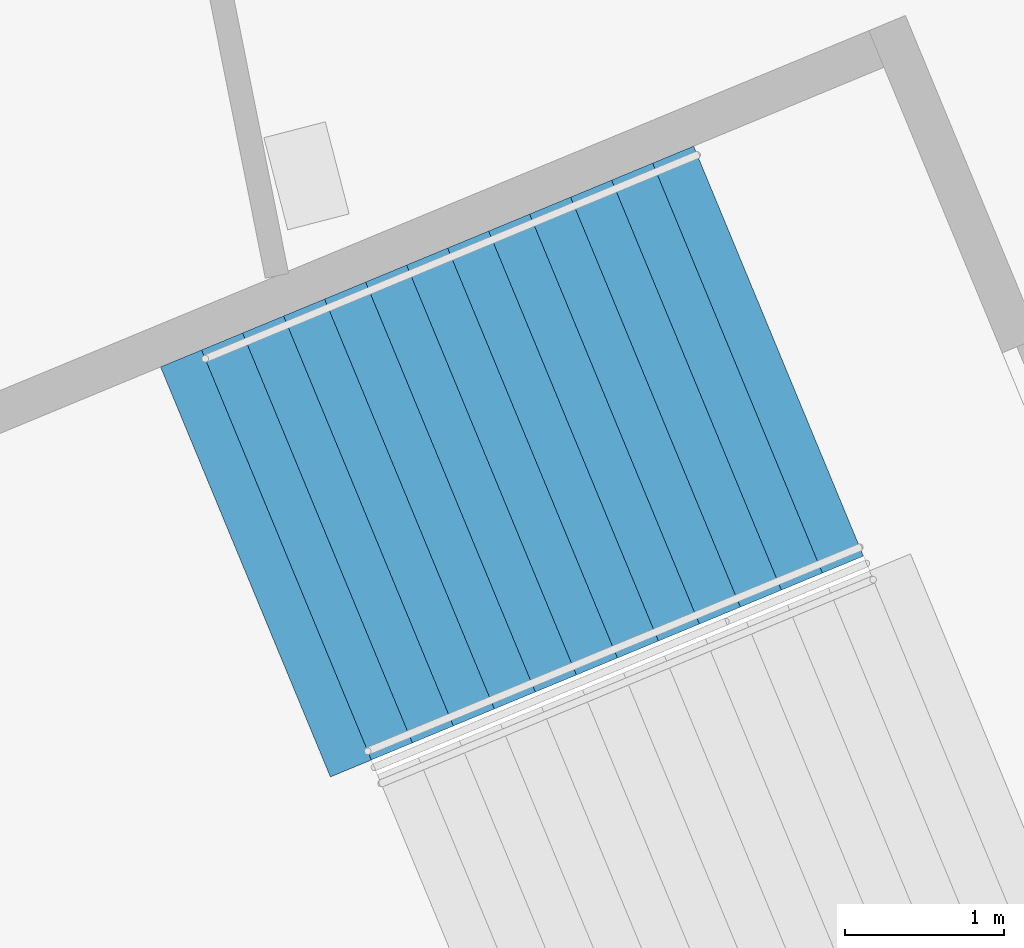
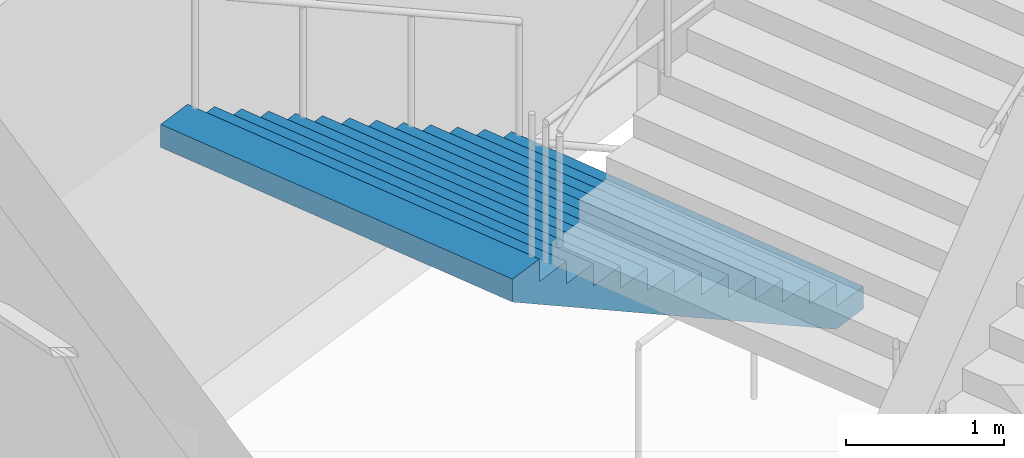
# One storey, part 91 of 177: 1 stair flight, 1 element without a shape of its own.
"""IFC4 building model written with IfcOpenShell, lengths in metres."""

from ifc_helpers import new_model, si_unit, direction, frame, origin, place, context, subcontext, project, spatial, faceted_brep, material, type_object, element, aggregate, save


model = new_model("IFC4")

# Units and contexts
model_context = context("Model", 3, precision=1e-05, world=origin(), true_north=direction((0.0, 1.0)))
body_context = subcontext(model_context, "Body", "Model", "MODEL_VIEW")
ifc_project = project(units=[si_unit("LENGTHUNIT", "METRE"), si_unit("AREAUNIT", "SQUARE_METRE"), si_unit("VOLUMEUNIT", "CUBIC_METRE"), si_unit("PLANEANGLEUNIT", "RADIAN"), si_unit("MASSUNIT", "GRAM", prefix="KILO")], contexts=[model_context])

# Site, building, storey
site_placement = place(None, origin())
site = spatial("IfcSite", under=ifc_project, at=site_placement, CompositionType="ELEMENT")
building_placement = place(site_placement, origin())
building = spatial("IfcBuilding", under=site, at=building_placement, Name="Ogive Plaza Stadium", CompositionType="ELEMENT")
storey_placement = place(building_placement, frame((0.0, 0.0, 18.0)))
storey = spatial("IfcBuildingStorey", under=building, at=storey_placement, Name="L04", CompositionType="ELEMENT", Elevation=18.0)

# Stair, stair flight
ifc_material_1 = material(Name="Concrete C40/50", Category="concrete")
stair_type = type_object("IfcStairType", Name="Exit stair", PredefinedType="STRAIGHT_RUN_STAIR", material=ifc_material_1)
stair_placement = place(storey_placement, origin())
stair = element("IfcStair", 1, at=stair_placement, inside=storey, type_object=stair_type, Name="Exit stair ST20A L04 to L05", PredefinedType="STRAIGHT_RUN_STAIR")
ifc_material_2 = material(Name="Concrete C40/50", Category="concrete")
stair_flight_type = type_object("IfcStairFlightType", Name="Exit stair flight", PredefinedType="STRAIGHT", material=ifc_material_2)
stair_flight_placement = place(storey_placement, frame((-74.819580078125, -64.618408203125, 0.0), z_axis=(0.0, 0.0, 1.0), x_axis=(-0.923879532511, -0.382683432365, 0.0)))
stair_flight = element("IfcStairFlight", 2, at=stair_flight_placement, type_object=stair_flight_type, Name="ST20A flight 1", NumberOfRisers=13, NumberOfTreads=12, PredefinedType="STRAIGHT", RiserHeight=0.173076923, TreadLength=0.28, context=body_context, shape_type="Brep", body=[
    faceted_brep([(0.28515625, -1.39990234375, 0.0), (3.639892578125, -1.39990234375, 2.07373046875), (3.639892578125, -1.39990234375, 2.25), (3.360107421875, -1.39990234375, 2.25), (3.360107421875, -1.39990234375, 2.076904296875), (3.080078125, -1.39990234375, 2.076904296875), (3.080078125, -1.39990234375, 1.90380859375), (2.800048828125, -1.39990234375, 1.90380859375), (2.800048828125, -1.39990234375, 1.730712890625), (2.52001953125, -1.39990234375, 1.730712890625), (2.52001953125, -1.39990234375, 1.5576171875), (2.239990234375, -1.39990234375, 1.5576171875), (2.239990234375, -1.39990234375, 1.384521484375), (1.9599609375, -1.39990234375, 1.384521484375), (1.9599609375, -1.39990234375, 1.21142578125), (1.679931640625, -1.39990234375, 1.21142578125), (1.679931640625, -1.39990234375, 1.03857421875), (1.39990234375, -1.39990234375, 1.03857421875), (1.39990234375, -1.39990234375, 0.865478515625), (1.1201171875, -1.39990234375, 0.865478515625), (1.1201171875, -1.39990234375, 0.6923828125), (0.840087890625, -1.39990234375, 0.6923828125), (0.840087890625, -1.39990234375, 0.519287109375), (0.56005859375, -1.39990234375, 0.519287109375), (0.56005859375, -1.39990234375, 0.34619140625), (0.280029296875, -1.39990234375, 0.34619140625), (0.280029296875, -1.39990234375, 0.173095703125), (0.0, -1.39990234375, 0.173095703125), (0.0, -1.39990234375, 0.0), (0.0, 1.39990234375, 0.0), (0.0, 1.39990234375, 0.173095703125), (0.280029296875, 1.39990234375, 0.173095703125), (0.280029296875, 1.39990234375, 0.34619140625), (0.56005859375, 1.39990234375, 0.34619140625), (0.56005859375, 1.39990234375, 0.519287109375), (0.840087890625, 1.39990234375, 0.519287109375), (0.840087890625, 1.39990234375, 0.6923828125), (1.1201171875, 1.39990234375, 0.6923828125), (1.1201171875, 1.39990234375, 0.865478515625), (1.39990234375, 1.39990234375, 0.865478515625), (1.39990234375, 1.39990234375, 1.03857421875), (1.679931640625, 1.39990234375, 1.03857421875), (1.679931640625, 1.39990234375, 1.21142578125), (1.9599609375, 1.39990234375, 1.21142578125), (1.9599609375, 1.39990234375, 1.384521484375), (2.239990234375, 1.39990234375, 1.384521484375), (2.239990234375, 1.39990234375, 1.5576171875), (2.52001953125, 1.39990234375, 1.5576171875), (2.52001953125, 1.39990234375, 1.730712890625), (2.800048828125, 1.39990234375, 1.730712890625), (2.800048828125, 1.39990234375, 1.90380859375), (3.080078125, 1.39990234375, 1.90380859375), (3.080078125, 1.39990234375, 2.076904296875), (3.360107421875, 1.39990234375, 2.076904296875), (3.360107421875, 1.39990234375, 2.25), (3.639892578125, 1.39990234375, 2.25), (3.639892578125, 1.39990234375, 2.07373046875), (0.28515625, 1.39990234375, 0.0), (0.28515625, -1.0888671875, 0.0), (3.639892578125, -1.0888671875, 2.07373046875), (0.28515625, -0.77783203125, 0.0), (3.639892578125, -0.77783203125, 2.07373046875), (0.28515625, -0.466796875, 0.0), (3.639892578125, -0.466796875, 2.07373046875), (0.28515625, -0.155517578125, 0.0), (3.639892578125, -0.155517578125, 2.07373046875), (0.28515625, 0.155517578125, 0.0), (3.639892578125, 0.155517578125, 2.07373046875), (0.28515625, 0.466796875, 0.0), (3.639892578125, 0.466796875, 2.07373046875), (0.28515625, 0.77783203125, 0.0), (3.639892578125, 0.77783203125, 2.07373046875), (0.28515625, 1.0888671875, 0.0), (3.639892578125, 1.0888671875, 2.07373046875), (3.639892578125, -1.0888671875, 2.25), (3.639892578125, -0.77783203125, 2.25), (3.639892578125, -0.466796875, 2.25), (3.639892578125, -0.155517578125, 2.25), (3.639892578125, 0.155517578125, 2.25), (3.639892578125, 0.466796875, 2.25), (3.639892578125, 0.77783203125, 2.25), (3.639892578125, 1.0888671875, 2.25), (3.360107421875, -1.0888671875, 2.25), (3.360107421875, -0.77783203125, 2.25), (3.360107421875, -0.466796875, 2.25), (3.360107421875, -0.155517578125, 2.25), (3.360107421875, 0.155517578125, 2.25), (3.360107421875, 0.466796875, 2.25), (3.360107421875, 0.77783203125, 2.25), (3.360107421875, 1.0888671875, 2.25), (3.360107421875, -1.0888671875, 2.076904296875), (3.360107421875, -0.77783203125, 2.076904296875), (3.360107421875, -0.466796875, 2.076904296875), (3.360107421875, -0.155517578125, 2.076904296875), (3.360107421875, 0.155517578125, 2.076904296875), (3.360107421875, 0.466796875, 2.076904296875), (3.360107421875, 0.77783203125, 2.076904296875), (3.360107421875, 1.0888671875, 2.076904296875), (3.080078125, -1.0888671875, 2.076904296875), (3.080078125, -0.77783203125, 2.076904296875), (3.080078125, -0.466796875, 2.076904296875), (3.080078125, -0.155517578125, 2.076904296875), (3.080078125, 0.155517578125, 2.076904296875), (3.080078125, 0.466796875, 2.076904296875), (3.080078125, 0.77783203125, 2.076904296875), (3.080078125, 1.0888671875, 2.076904296875), (3.080078125, -1.0888671875, 1.90380859375), (3.080078125, -0.77783203125, 1.90380859375), (3.080078125, -0.466796875, 1.90380859375), (3.080078125, -0.155517578125, 1.90380859375), (3.080078125, 0.155517578125, 1.90380859375), (3.080078125, 0.466796875, 1.90380859375), (3.080078125, 0.77783203125, 1.90380859375), (3.080078125, 1.0888671875, 1.90380859375), (2.800048828125, -1.0888671875, 1.90380859375), (2.800048828125, -0.77783203125, 1.90380859375), (2.800048828125, -0.466796875, 1.90380859375), (2.800048828125, -0.155517578125, 1.90380859375), (2.800048828125, 0.155517578125, 1.90380859375), (2.800048828125, 0.466796875, 1.90380859375), (2.800048828125, 0.77783203125, 1.90380859375), (2.800048828125, 1.0888671875, 1.90380859375), (2.800048828125, -1.0888671875, 1.730712890625), (2.800048828125, -0.77783203125, 1.730712890625), (2.800048828125, -0.466796875, 1.730712890625), (2.800048828125, -0.155517578125, 1.730712890625), (2.800048828125, 0.155517578125, 1.730712890625), (2.800048828125, 0.466796875, 1.730712890625), (2.800048828125, 0.77783203125, 1.730712890625), (2.800048828125, 1.0888671875, 1.730712890625), (2.52001953125, -1.0888671875, 1.730712890625), (2.52001953125, -0.77783203125, 1.730712890625), (2.52001953125, -0.466796875, 1.730712890625), (2.52001953125, -0.155517578125, 1.730712890625), (2.52001953125, 0.155517578125, 1.730712890625), (2.52001953125, 0.466796875, 1.730712890625), (2.52001953125, 0.77783203125, 1.730712890625), (2.52001953125, 1.0888671875, 1.730712890625), (2.52001953125, -1.0888671875, 1.5576171875), (2.52001953125, -0.77783203125, 1.5576171875), (2.52001953125, -0.466796875, 1.5576171875), (2.52001953125, -0.155517578125, 1.5576171875), (2.52001953125, 0.155517578125, 1.5576171875), (2.52001953125, 0.466796875, 1.5576171875), (2.52001953125, 0.77783203125, 1.5576171875), (2.52001953125, 1.0888671875, 1.5576171875), (2.239990234375, -1.0888671875, 1.5576171875), (2.239990234375, -0.77783203125, 1.5576171875), (2.239990234375, -0.466796875, 1.5576171875), (2.239990234375, -0.155517578125, 1.5576171875), (2.239990234375, 0.155517578125, 1.5576171875), (2.239990234375, 0.466796875, 1.5576171875), (2.239990234375, 0.77783203125, 1.5576171875), (2.239990234375, 1.0888671875, 1.5576171875), (2.239990234375, -1.0888671875, 1.384521484375), (2.239990234375, -0.77783203125, 1.384521484375), (2.239990234375, -0.466796875, 1.384521484375), (2.239990234375, -0.155517578125, 1.384521484375), (2.239990234375, 0.155517578125, 1.384521484375), (2.239990234375, 0.466796875, 1.384521484375), (2.239990234375, 0.77783203125, 1.384521484375), (2.239990234375, 1.0888671875, 1.384521484375), (1.9599609375, -1.0888671875, 1.384521484375), (1.9599609375, -0.77783203125, 1.384521484375), (1.9599609375, -0.466796875, 1.384521484375), (1.9599609375, -0.155517578125, 1.384521484375), (1.9599609375, 0.155517578125, 1.384521484375), (1.9599609375, 0.466796875, 1.384521484375), (1.9599609375, 0.77783203125, 1.384521484375), (1.9599609375, 1.0888671875, 1.384521484375), (1.9599609375, -1.0888671875, 1.21142578125), (1.9599609375, -0.77783203125, 1.21142578125), (1.9599609375, -0.466796875, 1.21142578125), (1.9599609375, -0.155517578125, 1.21142578125), (1.9599609375, 0.155517578125, 1.21142578125), (1.9599609375, 0.466796875, 1.21142578125), (1.9599609375, 0.77783203125, 1.21142578125), (1.9599609375, 1.0888671875, 1.21142578125), (1.679931640625, -1.0888671875, 1.21142578125), (1.679931640625, -0.77783203125, 1.21142578125), (1.679931640625, -0.466796875, 1.21142578125), (1.679931640625, -0.155517578125, 1.21142578125), (1.679931640625, 0.155517578125, 1.21142578125), (1.679931640625, 0.466796875, 1.21142578125), (1.679931640625, 0.77783203125, 1.21142578125), (1.679931640625, 1.0888671875, 1.21142578125), (1.679931640625, -1.0888671875, 1.03857421875), (1.679931640625, -0.77783203125, 1.03857421875), (1.679931640625, -0.466796875, 1.03857421875), (1.679931640625, -0.155517578125, 1.03857421875), (1.679931640625, 0.155517578125, 1.03857421875), (1.679931640625, 0.466796875, 1.03857421875), (1.679931640625, 0.77783203125, 1.03857421875), (1.679931640625, 1.0888671875, 1.03857421875), (1.39990234375, -1.0888671875, 1.03857421875), (1.39990234375, -0.77783203125, 1.03857421875), (1.39990234375, -0.466796875, 1.03857421875), (1.39990234375, -0.155517578125, 1.03857421875), (1.39990234375, 0.155517578125, 1.03857421875), (1.39990234375, 0.466796875, 1.03857421875), (1.39990234375, 0.77783203125, 1.03857421875), (1.39990234375, 1.0888671875, 1.03857421875), (1.39990234375, -1.0888671875, 0.865478515625), (1.39990234375, -0.77783203125, 0.865478515625), (1.39990234375, -0.466796875, 0.865478515625), (1.39990234375, -0.155517578125, 0.865478515625), (1.39990234375, 0.155517578125, 0.865478515625), (1.39990234375, 0.466796875, 0.865478515625), (1.39990234375, 0.77783203125, 0.865478515625), (1.39990234375, 1.0888671875, 0.865478515625), (1.1201171875, -1.0888671875, 0.865478515625), (1.1201171875, -0.77783203125, 0.865478515625), (1.1201171875, -0.466796875, 0.865478515625), (1.1201171875, -0.155517578125, 0.865478515625), (1.1201171875, 0.155517578125, 0.865478515625), (1.1201171875, 0.466796875, 0.865478515625), (1.1201171875, 0.77783203125, 0.865478515625), (1.1201171875, 1.0888671875, 0.865478515625), (1.1201171875, -1.0888671875, 0.6923828125), (1.1201171875, -0.77783203125, 0.6923828125), (1.1201171875, -0.466796875, 0.6923828125), (1.1201171875, -0.155517578125, 0.6923828125), (1.1201171875, 0.155517578125, 0.6923828125), (1.1201171875, 0.466796875, 0.6923828125), (1.1201171875, 0.77783203125, 0.6923828125), (1.1201171875, 1.0888671875, 0.6923828125), (0.840087890625, -1.0888671875, 0.6923828125), (0.840087890625, -0.77783203125, 0.6923828125), (0.840087890625, -0.466796875, 0.6923828125), (0.840087890625, -0.155517578125, 0.6923828125), (0.840087890625, 0.155517578125, 0.6923828125), (0.840087890625, 0.466796875, 0.6923828125), (0.840087890625, 0.77783203125, 0.6923828125), (0.840087890625, 1.0888671875, 0.6923828125), (0.840087890625, -1.0888671875, 0.519287109375), (0.840087890625, -0.77783203125, 0.519287109375), (0.840087890625, -0.466796875, 0.519287109375), (0.840087890625, -0.155517578125, 0.519287109375), (0.840087890625, 0.155517578125, 0.519287109375), (0.840087890625, 0.466796875, 0.519287109375), (0.840087890625, 0.77783203125, 0.519287109375), (0.840087890625, 1.0888671875, 0.519287109375), (0.56005859375, -1.0888671875, 0.519287109375), (0.56005859375, -0.77783203125, 0.519287109375), (0.56005859375, -0.466796875, 0.519287109375), (0.56005859375, -0.155517578125, 0.519287109375), (0.56005859375, 0.155517578125, 0.519287109375), (0.56005859375, 0.466796875, 0.519287109375), (0.56005859375, 0.77783203125, 0.519287109375), (0.56005859375, 1.0888671875, 0.519287109375), (0.56005859375, -1.0888671875, 0.34619140625), (0.56005859375, -0.77783203125, 0.34619140625), (0.56005859375, -0.466796875, 0.34619140625), (0.56005859375, -0.155517578125, 0.34619140625), (0.56005859375, 0.155517578125, 0.34619140625), (0.56005859375, 0.466796875, 0.34619140625), (0.56005859375, 0.77783203125, 0.34619140625), (0.56005859375, 1.0888671875, 0.34619140625), (0.280029296875, -1.0888671875, 0.34619140625), (0.280029296875, -0.77783203125, 0.34619140625), (0.280029296875, -0.466796875, 0.34619140625), (0.280029296875, -0.155517578125, 0.34619140625), (0.280029296875, 0.155517578125, 0.34619140625), (0.280029296875, 0.466796875, 0.34619140625), (0.280029296875, 0.77783203125, 0.34619140625), (0.280029296875, 1.0888671875, 0.34619140625), (0.280029296875, -1.0888671875, 0.173095703125), (0.280029296875, -0.77783203125, 0.173095703125), (0.280029296875, -0.466796875, 0.173095703125), (0.280029296875, -0.155517578125, 0.173095703125), (0.280029296875, 0.155517578125, 0.173095703125), (0.280029296875, 0.466796875, 0.173095703125), (0.280029296875, 0.77783203125, 0.173095703125), (0.280029296875, 1.0888671875, 0.173095703125), (0.0, -1.0888671875, 0.173095703125), (0.0, -0.77783203125, 0.173095703125), (0.0, -0.466796875, 0.173095703125), (0.0, -0.155517578125, 0.173095703125), (0.0, 0.155517578125, 0.173095703125), (0.0, 0.466796875, 0.173095703125), (0.0, 0.77783203125, 0.173095703125), (0.0, 1.0888671875, 0.173095703125), (0.0, -1.0888671875, 0.0), (0.0, -0.77783203125, 0.0), (0.0, -0.466796875, 0.0), (0.0, -0.155517578125, 0.0), (0.0, 0.155517578125, 0.0), (0.0, 0.466796875, 0.0), (0.0, 0.77783203125, 0.0), (0.0, 1.0888671875, 0.0)], [[[0, 1, 2, 3, 4, 5, 6, 7, 8, 9, 10, 11, 12, 13, 14, 15, 16, 17, 18, 19, 20, 21, 22, 23, 24, 25, 26, 27, 28]], [[29, 30, 31, 32, 33, 34, 35, 36, 37, 38, 39, 40, 41, 42, 43, 44, 45, 46, 47, 48, 49, 50, 51, 52, 53, 54, 55, 56, 57]], [[0, 58, 59, 1]], [[58, 60, 61, 59]], [[60, 62, 63, 61]], [[62, 64, 65, 63]], [[64, 66, 67, 65]], [[66, 68, 69, 67]], [[68, 70, 71, 69]], [[70, 72, 73, 71]], [[72, 57, 56, 73]], [[1, 59, 74, 2]], [[59, 61, 75, 74]], [[61, 63, 76, 75]], [[63, 65, 77, 76]], [[65, 67, 78, 77]], [[67, 69, 79, 78]], [[69, 71, 80, 79]], [[71, 73, 81, 80]], [[73, 56, 55, 81]], [[2, 74, 82, 3]], [[74, 75, 83, 82]], [[75, 76, 84, 83]], [[76, 77, 85, 84]], [[77, 78, 86, 85]], [[78, 79, 87, 86]], [[79, 80, 88, 87]], [[80, 81, 89, 88]], [[81, 55, 54, 89]], [[3, 82, 90, 4]], [[82, 83, 91, 90]], [[83, 84, 92, 91]], [[84, 85, 93, 92]], [[85, 86, 94, 93]], [[86, 87, 95, 94]], [[87, 88, 96, 95]], [[88, 89, 97, 96]], [[89, 54, 53, 97]], [[4, 90, 98, 5]], [[90, 91, 99, 98]], [[91, 92, 100, 99]], [[92, 93, 101, 100]], [[93, 94, 102, 101]], [[94, 95, 103, 102]], [[95, 96, 104, 103]], [[96, 97, 105, 104]], [[97, 53, 52, 105]], [[5, 98, 106, 6]], [[98, 99, 107, 106]], [[99, 100, 108, 107]], [[100, 101, 109, 108]], [[101, 102, 110, 109]], [[102, 103, 111, 110]], [[103, 104, 112, 111]], [[104, 105, 113, 112]], [[105, 52, 51, 113]], [[6, 106, 114, 7]], [[106, 107, 115, 114]], [[107, 108, 116, 115]], [[108, 109, 117, 116]], [[109, 110, 118, 117]], [[110, 111, 119, 118]], [[111, 112, 120, 119]], [[112, 113, 121, 120]], [[113, 51, 50, 121]], [[7, 114, 122, 8]], [[114, 115, 123, 122]], [[115, 116, 124, 123]], [[116, 117, 125, 124]], [[117, 118, 126, 125]], [[118, 119, 127, 126]], [[119, 120, 128, 127]], [[120, 121, 129, 128]], [[121, 50, 49, 129]], [[8, 122, 130, 9]], [[122, 123, 131, 130]], [[123, 124, 132, 131]], [[124, 125, 133, 132]], [[125, 126, 134, 133]], [[126, 127, 135, 134]], [[127, 128, 136, 135]], [[128, 129, 137, 136]], [[129, 49, 48, 137]], [[9, 130, 138, 10]], [[130, 131, 139, 138]], [[131, 132, 140, 139]], [[132, 133, 141, 140]], [[133, 134, 142, 141]], [[134, 135, 143, 142]], [[135, 136, 144, 143]], [[136, 137, 145, 144]], [[137, 48, 47, 145]], [[10, 138, 146, 11]], [[138, 139, 147, 146]], [[139, 140, 148, 147]], [[140, 141, 149, 148]], [[141, 142, 150, 149]], [[142, 143, 151, 150]], [[143, 144, 152, 151]], [[144, 145, 153, 152]], [[145, 47, 46, 153]], [[11, 146, 154, 12]], [[146, 147, 155, 154]], [[147, 148, 156, 155]], [[148, 149, 157, 156]], [[149, 150, 158, 157]], [[150, 151, 159, 158]], [[151, 152, 160, 159]], [[152, 153, 161, 160]], [[153, 46, 45, 161]], [[12, 154, 162, 13]], [[154, 155, 163, 162]], [[155, 156, 164, 163]], [[156, 157, 165, 164]], [[157, 158, 166, 165]], [[158, 159, 167, 166]], [[159, 160, 168, 167]], [[160, 161, 169, 168]], [[161, 45, 44, 169]], [[13, 162, 170, 14]], [[162, 163, 171, 170]], [[163, 164, 172, 171]], [[164, 165, 173, 172]], [[165, 166, 174, 173]], [[166, 167, 175, 174]], [[167, 168, 176, 175]], [[168, 169, 177, 176]], [[169, 44, 43, 177]], [[14, 170, 178, 15]], [[170, 171, 179, 178]], [[171, 172, 180, 179]], [[172, 173, 181, 180]], [[173, 174, 182, 181]], [[174, 175, 183, 182]], [[175, 176, 184, 183]], [[176, 177, 185, 184]], [[177, 43, 42, 185]], [[15, 178, 186, 16]], [[178, 179, 187, 186]], [[179, 180, 188, 187]], [[180, 181, 189, 188]], [[181, 182, 190, 189]], [[182, 183, 191, 190]], [[183, 184, 192, 191]], [[184, 185, 193, 192]], [[185, 42, 41, 193]], [[16, 186, 194, 17]], [[186, 187, 195, 194]], [[187, 188, 196, 195]], [[188, 189, 197, 196]], [[189, 190, 198, 197]], [[190, 191, 199, 198]], [[191, 192, 200, 199]], [[192, 193, 201, 200]], [[193, 41, 40, 201]], [[17, 194, 202, 18]], [[194, 195, 203, 202]], [[195, 196, 204, 203]], [[196, 197, 205, 204]], [[197, 198, 206, 205]], [[198, 199, 207, 206]], [[199, 200, 208, 207]], [[200, 201, 209, 208]], [[201, 40, 39, 209]], [[18, 202, 210, 19]], [[202, 203, 211, 210]], [[203, 204, 212, 211]], [[204, 205, 213, 212]], [[205, 206, 214, 213]], [[206, 207, 215, 214]], [[207, 208, 216, 215]], [[208, 209, 217, 216]], [[209, 39, 38, 217]], [[19, 210, 218, 20]], [[210, 211, 219, 218]], [[211, 212, 220, 219]], [[212, 213, 221, 220]], [[213, 214, 222, 221]], [[214, 215, 223, 222]], [[215, 216, 224, 223]], [[216, 217, 225, 224]], [[217, 38, 37, 225]], [[20, 218, 226, 21]], [[218, 219, 227, 226]], [[219, 220, 228, 227]], [[220, 221, 229, 228]], [[221, 222, 230, 229]], [[222, 223, 231, 230]], [[223, 224, 232, 231]], [[224, 225, 233, 232]], [[225, 37, 36, 233]], [[21, 226, 234, 22]], [[226, 227, 235, 234]], [[227, 228, 236, 235]], [[228, 229, 237, 236]], [[229, 230, 238, 237]], [[230, 231, 239, 238]], [[231, 232, 240, 239]], [[232, 233, 241, 240]], [[233, 36, 35, 241]], [[22, 234, 242, 23]], [[234, 235, 243, 242]], [[235, 236, 244, 243]], [[236, 237, 245, 244]], [[237, 238, 246, 245]], [[238, 239, 247, 246]], [[239, 240, 248, 247]], [[240, 241, 249, 248]], [[241, 35, 34, 249]], [[23, 242, 250, 24]], [[242, 243, 251, 250]], [[243, 244, 252, 251]], [[244, 245, 253, 252]], [[245, 246, 254, 253]], [[246, 247, 255, 254]], [[247, 248, 256, 255]], [[248, 249, 257, 256]], [[249, 34, 33, 257]], [[24, 250, 258, 25]], [[250, 251, 259, 258]], [[251, 252, 260, 259]], [[252, 253, 261, 260]], [[253, 254, 262, 261]], [[254, 255, 263, 262]], [[255, 256, 264, 263]], [[256, 257, 265, 264]], [[257, 33, 32, 265]], [[25, 258, 266, 26]], [[258, 259, 267, 266]], [[259, 260, 268, 267]], [[260, 261, 269, 268]], [[261, 262, 270, 269]], [[262, 263, 271, 270]], [[263, 264, 272, 271]], [[264, 265, 273, 272]], [[265, 32, 31, 273]], [[26, 266, 274, 27]], [[266, 267, 275, 274]], [[267, 268, 276, 275]], [[268, 269, 277, 276]], [[269, 270, 278, 277]], [[270, 271, 279, 278]], [[271, 272, 280, 279]], [[272, 273, 281, 280]], [[273, 31, 30, 281]], [[27, 274, 282, 28]], [[274, 275, 283, 282]], [[275, 276, 284, 283]], [[276, 277, 285, 284]], [[277, 278, 286, 285]], [[278, 279, 287, 286]], [[279, 280, 288, 287]], [[280, 281, 289, 288]], [[281, 30, 29, 289]], [[28, 282, 58, 0]], [[282, 283, 60, 58]], [[283, 284, 62, 60]], [[284, 285, 64, 62]], [[285, 286, 66, 64]], [[286, 287, 68, 66]], [[287, 288, 70, 68]], [[288, 289, 72, 70]], [[289, 29, 57, 72]]]),
])
aggregate(stair, [stair_flight])

save(model, "model.ifc")
